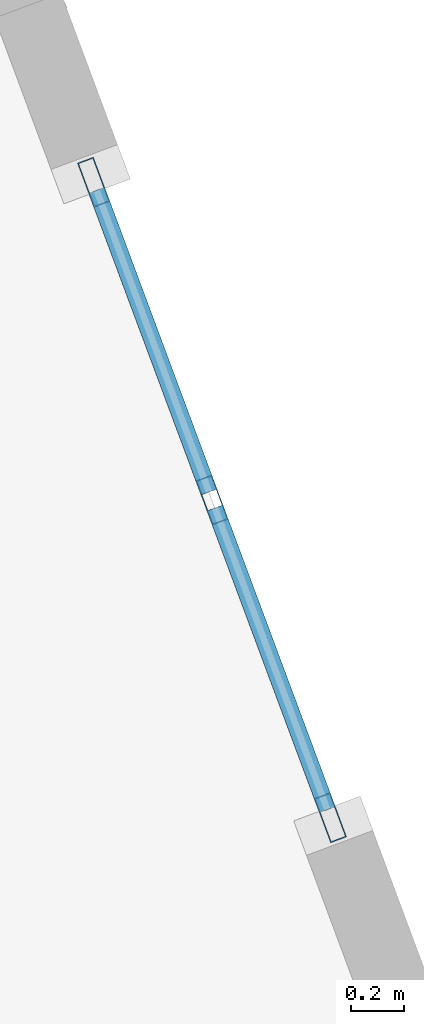
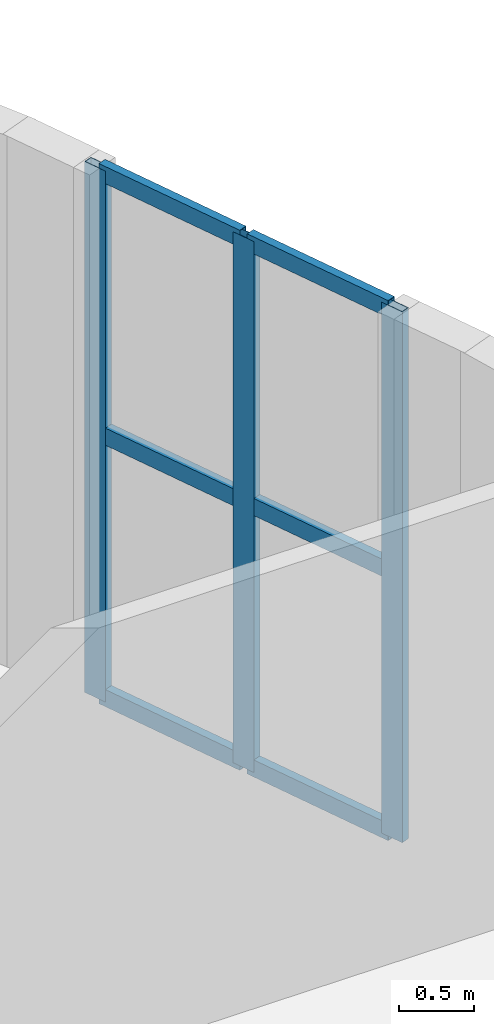
# One storey, part 8 of 14: 9 members, 1 element without a shape of its own.
"""IFC4 building model written with IfcOpenShell, lengths in metres."""

from ifc_helpers import new_model, si_unit, direction, frame, origin, origin_2d, place, context, subcontext, project, spatial, hollow_rectangle, extrude, material, layer, layer_set, material_profile, profile_set, type_object, element, aggregate, save


model = new_model("IFC4")

# Units and contexts
model_context = context("Model", 3, precision=1e-05, world=origin(), true_north=direction((0.0, 1.0)))
body_context = subcontext(model_context, "Body", "Model", "MODEL_VIEW")
ifc_project = project(units=[si_unit("LENGTHUNIT", "METRE"), si_unit("AREAUNIT", "SQUARE_METRE"), si_unit("VOLUMEUNIT", "CUBIC_METRE"), si_unit("PLANEANGLEUNIT", "RADIAN"), si_unit("MASSUNIT", "GRAM", prefix="KILO")], contexts=[model_context])

# Site, building, storey
site_placement = place(None, origin())
site = spatial("IfcSite", under=ifc_project, at=site_placement, CompositionType="ELEMENT")
building_placement = place(site_placement, origin())
building = spatial("IfcBuilding", under=site, at=building_placement, Name="Miruveldt Soraemaru", CompositionType="ELEMENT")
storey_placement = place(building_placement, frame((0.0, 0.0, 189.800048828125)))
storey = spatial("IfcBuildingStorey", under=building, at=storey_placement, Name="L52", CompositionType="ELEMENT", Elevation=189.800048828125)

# Curtain wall, members
ifc_material = material(Name="Anodised aluminium EN AW-6063 T6", Category="aluminium")
ifc_layer = layer(ifc_material, 0.179931640625, Name="Anodised aluminium EN AW-6063 T6", Category="aluminium")
ifc_layer_set = layer_set([ifc_layer], Name="Anodised aluminium EN AW-6063 T6")
curtain_wall_type = type_object("IfcCurtainWallType", Name="CW-SYS-4", PredefinedType="USERDEFINED", material=ifc_layer_set)
curtain_wall_placement = place(storey_placement, origin())
curtain_wall = element("IfcCurtainWall", 1, at=curtain_wall_placement, inside=storey, type_object=curtain_wall_type, Name="L52 Curtain Wall Bay 37", ObjectType="UNITISED GLAZING", PredefinedType="USERDEFINED")
ifc_material_profile_1 = material_profile(ifc_material, hollow_rectangle(XDim=0.06494140625, YDim=0.179931640625, WallThickness=0.00390625, at=origin_2d()), Name="Anodised aluminium EN AW-6063 T6", Category="aluminium")
ifc_profile_set_1 = profile_set([ifc_material_profile_1], Name="Anodised aluminium EN AW-6063 T6")
member_type_1 = type_object("IfcMemberType", Name="CWM-4", PredefinedType="MULLION", material=ifc_profile_set_1)
member_1_placement = place(storey_placement, frame((60.541748046875, 45.1845703125, 0.0), z_axis=(0.0, 0.0, 1.0), x_axis=(-0.937103446339, -0.349051759571, 0.0)))
member_1 = element("IfcMember", 2, at=member_1_placement, type_object=member_type_1, Name="CW-4 mullion 1", PredefinedType="MULLION", context=body_context, shape_type="SweptSolid", body=[
    extrude(hollow_rectangle(XDim=0.06494140625, YDim=0.179931640625, WallThickness=0.00390625, at=origin_2d()), origin(), (0.0, 0.0, 1.0), 4.344970703125),
])
member_2_placement = place(storey_placement, frame((60.09130859375, 46.393798828125, 0.0), z_axis=(0.0, 0.0, 1.0), x_axis=(-0.937103446339, -0.349051759571, 0.0)))
member_2 = element("IfcMember", 3, at=member_2_placement, type_object=member_type_1, Name="CW-4 mullion 2", PredefinedType="MULLION", context=body_context, shape_type="SweptSolid", body=[
    extrude(hollow_rectangle(XDim=0.06494140625, YDim=0.179931640625, WallThickness=0.00390625, at=origin_2d()), origin(), (0.0, 0.0, 1.0), 4.344970703125),
])
member_3_placement = place(storey_placement, frame((59.640625, 47.603271484375, 0.0), z_axis=(0.0, 0.0, 1.0), x_axis=(-0.937103446339, -0.349051759571, 0.0)))
member_3 = element("IfcMember", 4, at=member_3_placement, type_object=member_type_1, Name="CW-4 mullion 3", PredefinedType="MULLION", context=body_context, shape_type="SweptSolid", body=[
    extrude(hollow_rectangle(XDim=0.06494140625, YDim=0.179931640625, WallThickness=0.00390625, at=origin_2d()), origin(), (0.0, 0.0, 1.0), 4.344970703125),
])
ifc_material_profile_2 = material_profile(ifc_material, hollow_rectangle(XDim=0.06494140625, YDim=0.139892578125, WallThickness=0.00390625, at=origin_2d()), Name="Anodised aluminium EN AW-6063 T6", Category="aluminium")
ifc_profile_set_2 = profile_set([ifc_material_profile_2], Name="Anodised aluminium EN AW-6063 T6")
member_type_2 = type_object("IfcMemberType", Name="CWT-4", PredefinedType="USERDEFINED", material=ifc_profile_set_2)
member_4_placement = place(storey_placement, frame((60.5302734375, 45.215087890625, 0.032470703125), z_axis=(-0.349026698878, 0.93711278055, 0.0), x_axis=(-0.93711278055, -0.349026698878, 0.0)))
member_4 = element("IfcMember", 5, at=member_4_placement, type_object=member_type_2, Name="CW-4 transom 1.1", ObjectType="TRANSOM", PredefinedType="USERDEFINED", context=body_context, shape_type="SweptSolid", body=[
    extrude(hollow_rectangle(XDim=0.06494140625, YDim=0.139892578125, WallThickness=0.00390625, at=origin_2d()), origin(), (0.0, 0.0, 1.0), 1.2255859375),
])
member_5_placement = place(storey_placement, frame((60.5302734375, 45.215087890625, 2.17236328125), z_axis=(-0.349026698878, 0.93711278055, 0.0), x_axis=(-0.93711278055, -0.349026698878, 0.0)))
member_5 = element("IfcMember", 6, at=member_5_placement, type_object=member_type_2, Name="CW-4 transom 1.2", ObjectType="TRANSOM", PredefinedType="USERDEFINED", context=body_context, shape_type="SweptSolid", body=[
    extrude(hollow_rectangle(XDim=0.06494140625, YDim=0.139892578125, WallThickness=0.00390625, at=origin_2d()), origin(), (0.0, 0.0, 1.0), 1.2255859375),
])
member_6_placement = place(storey_placement, frame((60.5302734375, 45.215087890625, 4.3125), z_axis=(-0.349026698878, 0.93711278055, 0.0), x_axis=(-0.93711278055, -0.349026698878, 0.0)))
member_6 = element("IfcMember", 7, at=member_6_placement, type_object=member_type_2, Name="CW-4 transom 1.3", ObjectType="TRANSOM", PredefinedType="USERDEFINED", context=body_context, shape_type="SweptSolid", body=[
    extrude(hollow_rectangle(XDim=0.06494140625, YDim=0.139892578125, WallThickness=0.00390625, at=origin_2d()), origin(), (0.0, 0.0, 1.0), 1.2255859375),
])
member_7_placement = place(storey_placement, frame((60.079833984375, 46.42431640625, 0.032470703125), z_axis=(-0.349026698878, 0.93711278055, 0.0), x_axis=(-0.93711278055, -0.349026698878, 0.0)))
member_7 = element("IfcMember", 8, at=member_7_placement, type_object=member_type_2, Name="CW-4 transom 2.1", ObjectType="TRANSOM", PredefinedType="USERDEFINED", context=body_context, shape_type="SweptSolid", body=[
    extrude(hollow_rectangle(XDim=0.06494140625, YDim=0.139892578125, WallThickness=0.00390625, at=origin_2d()), origin(), (0.0, 0.0, 1.0), 1.2255859375),
])
member_8_placement = place(storey_placement, frame((60.079833984375, 46.42431640625, 2.17236328125), z_axis=(-0.349026698878, 0.93711278055, 0.0), x_axis=(-0.93711278055, -0.349026698878, 0.0)))
member_8 = element("IfcMember", 9, at=member_8_placement, type_object=member_type_2, Name="CW-4 transom 2.2", ObjectType="TRANSOM", PredefinedType="USERDEFINED", context=body_context, shape_type="SweptSolid", body=[
    extrude(hollow_rectangle(XDim=0.06494140625, YDim=0.139892578125, WallThickness=0.00390625, at=origin_2d()), origin(), (0.0, 0.0, 1.0), 1.2255859375),
])
member_9_placement = place(storey_placement, frame((60.079833984375, 46.42431640625, 4.3125), z_axis=(-0.349026698878, 0.93711278055, 0.0), x_axis=(-0.93711278055, -0.349026698878, 0.0)))
member_9 = element("IfcMember", 10, at=member_9_placement, type_object=member_type_2, Name="CW-4 transom 2.3", ObjectType="TRANSOM", PredefinedType="USERDEFINED", context=body_context, shape_type="SweptSolid", body=[
    extrude(hollow_rectangle(XDim=0.06494140625, YDim=0.139892578125, WallThickness=0.00390625, at=origin_2d()), origin(), (0.0, 0.0, 1.0), 1.2255859375),
])
aggregate(curtain_wall, [member_1, member_2, member_3, member_4, member_5, member_6, member_7, member_8, member_9])

save(model, "model.ifc")
